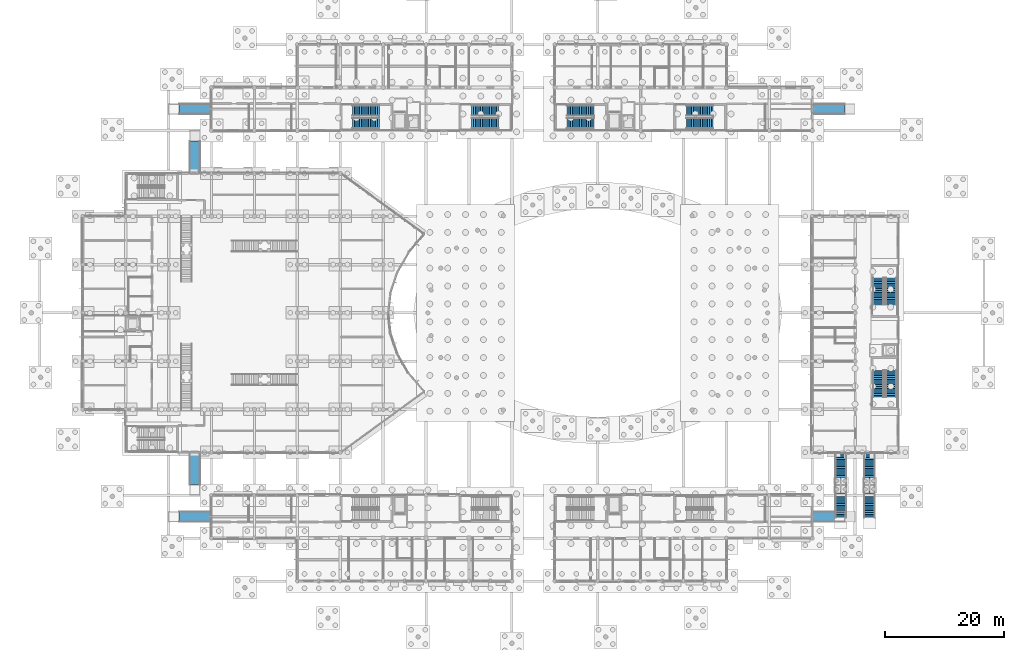
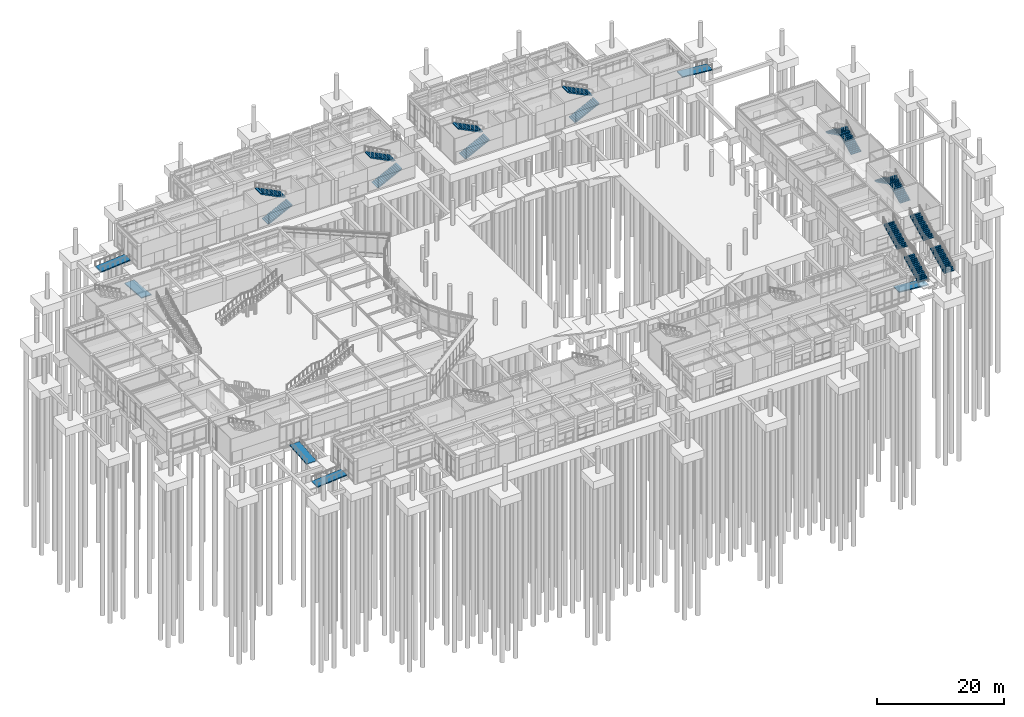
# One storey, part 64 of 103: 16 stair flights, 6 ramp flights, 14 elements without a shape of their own.
"""IFC4 building model written with IfcOpenShell, lengths in metres."""

from ifc_helpers import new_model, si_unit, direction, frame, origin, place, context, subcontext, project, spatial, polyline, outline, extrude, material, layer, layer_set, type_object, element, aggregate, save


model = new_model("IFC4")

# Units and contexts
model_context = context("Model", 3, precision=1e-05, world=origin(), true_north=direction((0.0, 1.0)))
body_context = subcontext(model_context, "Body", "Model", "MODEL_VIEW")
ifc_project = project(units=[si_unit("LENGTHUNIT", "METRE"), si_unit("AREAUNIT", "SQUARE_METRE"), si_unit("VOLUMEUNIT", "CUBIC_METRE"), si_unit("PLANEANGLEUNIT", "RADIAN"), si_unit("MASSUNIT", "GRAM", prefix="KILO")], contexts=[model_context])

# Site, building, storey
site_placement = place(None, origin())
site = spatial("IfcSite", under=ifc_project, at=site_placement, CompositionType="ELEMENT")
building_placement = place(site_placement, origin())
building = spatial("IfcBuilding", under=site, at=building_placement, Name="Namkhue Oval Health Centre", CompositionType="ELEMENT")
storey_placement = place(building_placement, origin())
storey = spatial("IfcBuildingStorey", under=building, at=storey_placement, Name="L00", CompositionType="ELEMENT", Elevation=0.0)

# Stair, stair flights
ifc_material = material(Name="Reinforced concrete C30/37 (TCVN B35)", Category="concrete")
stair_type_1 = type_object("IfcStairType", Name="DOGLEG EXIT STAIR H4800", PredefinedType="HALF_TURN_STAIR", material=ifc_material)
stair_1_placement = place(storey_placement, origin())
stair_1 = element("IfcStair", 1, at=stair_1_placement, inside=storey, type_object=stair_type_1, Name="Protected Exit Stair ST-03 L00", PredefinedType="HALF_TURN_STAIR")
stair_flight_type_1 = type_object("IfcStairFlightType", Name="STRAIGHT STAIR FLIGHT 1850", PredefinedType="STRAIGHT", material=ifc_material)
stair_flight_1_placement = place(storey_placement, frame((59.64990234375, 91.175048828125, 0.0), z_axis=(0.0, 0.0, 1.0), x_axis=(1.0, 0.0, 0.0)))
stair_flight_1 = element("IfcStairFlight", 2, at=stair_flight_1_placement, type_object=stair_flight_type_1, Name="ST-03 flight 1", NumberOfRisers=16, NumberOfTreads=15, PredefinedType="STRAIGHT", RiserHeight=0.15, TreadLength=0.3, context=body_context, shape_type="SweptSolid", body=[
    extrude(outline(polyline([(0.0, 0.0), (0.0, 0.14990234375), (0.300048828125, 0.14990234375), (0.300048828125, 0.300048828125), (0.60009765625, 0.300048828125), (0.60009765625, 0.449951171875), (0.89990234375, 0.449951171875), (0.89990234375, 0.60009765625), (1.199951171875, 0.60009765625), (1.199951171875, 0.75), (1.5, 0.75), (1.5, 0.89990234375), (1.800048828125, 0.89990234375), (1.800048828125, 1.050048828125), (2.10009765625, 1.050048828125), (2.10009765625, 1.199951171875), (2.39990234375, 1.199951171875), (2.39990234375, 1.35009765625), (2.699951171875, 1.35009765625), (2.699951171875, 1.5), (3.0, 1.5), (3.0, 1.64990234375), (3.300048828125, 1.64990234375), (3.300048828125, 1.800048828125), (3.60009765625, 1.800048828125), (3.60009765625, 1.949951171875), (3.89990234375, 1.949951171875), (3.89990234375, 2.10009765625), (4.199951171875, 2.10009765625), (4.199951171875, 2.25), (4.5, 2.25), (4.5, 2.39990234375), (4.5, 2.048828125), (0.40234375, 0.0), (0.0, 0.0)])), frame((0.0, 0.925048828125, 0.0), z_axis=(0.0, -1.0, 0.0), x_axis=(1.0, 0.0, 0.0)), (0.0, 0.0, 1.0), 1.85009765625),
])
stair_flight_2_placement = place(storey_placement, frame((64.14990234375, 93.324951171875, 2.39990234375), z_axis=(0.0, 0.0, 1.0), x_axis=(-1.0, 0.0, 0.0)))
stair_flight_2 = element("IfcStairFlight", 3, at=stair_flight_2_placement, type_object=stair_flight_type_1, Name="ST-03 flight 2", NumberOfRisers=16, NumberOfTreads=15, PredefinedType="STRAIGHT", RiserHeight=0.15, TreadLength=0.3, context=body_context, shape_type="SweptSolid", body=[
    extrude(outline(polyline([(0.0, 0.0), (0.0, 0.14990234375), (0.300048828125, 0.14990234375), (0.300048828125, 0.300048828125), (0.60009765625, 0.300048828125), (0.60009765625, 0.449951171875), (0.89990234375, 0.449951171875), (0.89990234375, 0.60009765625), (1.199951171875, 0.60009765625), (1.199951171875, 0.75), (1.5, 0.75), (1.5, 0.89990234375), (1.800048828125, 0.89990234375), (1.800048828125, 1.050048828125), (2.10009765625, 1.050048828125), (2.10009765625, 1.199951171875), (2.39990234375, 1.199951171875), (2.39990234375, 1.35009765625), (2.699951171875, 1.35009765625), (2.699951171875, 1.5), (3.0, 1.5), (3.0, 1.64990234375), (3.300048828125, 1.64990234375), (3.300048828125, 1.800048828125), (3.60009765625, 1.800048828125), (3.60009765625, 1.949951171875), (3.89990234375, 1.949951171875), (3.89990234375, 2.10009765625), (4.199951171875, 2.10009765625), (4.199951171875, 2.25), (4.5, 2.25), (4.5, 2.39990234375), (4.5, 2.048828125), (0.40234375, 0.0), (0.0, 0.0)])), frame((0.0, 0.925048828125, 0.0), z_axis=(0.0, -1.0, 0.0), x_axis=(1.0, 0.0, 0.0)), (0.0, 0.0, 1.0), 1.85009765625),
])
aggregate(stair_1, [stair_flight_1, stair_flight_2])

stair_2_placement = place(storey_placement, origin())
stair_2 = element("IfcStair", 4, at=stair_2_placement, inside=storey, type_object=stair_type_1, Name="Protected Exit Stair ST-04 L00", PredefinedType="HALF_TURN_STAIR")
stair_flight_3_placement = place(storey_placement, frame((79.64990234375, 91.175048828125, 0.0), z_axis=(0.0, 0.0, 1.0), x_axis=(1.0, 0.0, 0.0)))
stair_flight_3 = element("IfcStairFlight", 5, at=stair_flight_3_placement, type_object=stair_flight_type_1, Name="ST-04 flight 1", NumberOfRisers=16, NumberOfTreads=15, PredefinedType="STRAIGHT", RiserHeight=0.15, TreadLength=0.3, context=body_context, shape_type="SweptSolid", body=[
    extrude(outline(polyline([(0.0, 0.0), (0.0, 0.14990234375), (0.300048828125, 0.14990234375), (0.300048828125, 0.300048828125), (0.60009765625, 0.300048828125), (0.60009765625, 0.449951171875), (0.89990234375, 0.449951171875), (0.89990234375, 0.60009765625), (1.199951171875, 0.60009765625), (1.199951171875, 0.75), (1.5, 0.75), (1.5, 0.89990234375), (1.800048828125, 0.89990234375), (1.800048828125, 1.050048828125), (2.10009765625, 1.050048828125), (2.10009765625, 1.199951171875), (2.39990234375, 1.199951171875), (2.39990234375, 1.35009765625), (2.699951171875, 1.35009765625), (2.699951171875, 1.5), (3.0, 1.5), (3.0, 1.64990234375), (3.300048828125, 1.64990234375), (3.300048828125, 1.800048828125), (3.60009765625, 1.800048828125), (3.60009765625, 1.949951171875), (3.89990234375, 1.949951171875), (3.89990234375, 2.10009765625), (4.199951171875, 2.10009765625), (4.199951171875, 2.25), (4.5, 2.25), (4.5, 2.39990234375), (4.5, 2.048828125), (0.40234375, 0.0), (0.0, 0.0)])), frame((0.0, 0.925048828125, 0.0), z_axis=(0.0, -1.0, 0.0), x_axis=(1.0, 0.0, 0.0)), (0.0, 0.0, 1.0), 1.85009765625),
])
stair_flight_4_placement = place(storey_placement, frame((84.14990234375, 93.324951171875, 2.39990234375), z_axis=(0.0, 0.0, 1.0), x_axis=(-1.0, 0.0, 0.0)))
stair_flight_4 = element("IfcStairFlight", 6, at=stair_flight_4_placement, type_object=stair_flight_type_1, Name="ST-04 flight 2", NumberOfRisers=16, NumberOfTreads=15, PredefinedType="STRAIGHT", RiserHeight=0.15, TreadLength=0.3, context=body_context, shape_type="SweptSolid", body=[
    extrude(outline(polyline([(0.0, 0.0), (0.0, 0.14990234375), (0.300048828125, 0.14990234375), (0.300048828125, 0.300048828125), (0.60009765625, 0.300048828125), (0.60009765625, 0.449951171875), (0.89990234375, 0.449951171875), (0.89990234375, 0.60009765625), (1.199951171875, 0.60009765625), (1.199951171875, 0.75), (1.5, 0.75), (1.5, 0.89990234375), (1.800048828125, 0.89990234375), (1.800048828125, 1.050048828125), (2.10009765625, 1.050048828125), (2.10009765625, 1.199951171875), (2.39990234375, 1.199951171875), (2.39990234375, 1.35009765625), (2.699951171875, 1.35009765625), (2.699951171875, 1.5), (3.0, 1.5), (3.0, 1.64990234375), (3.300048828125, 1.64990234375), (3.300048828125, 1.800048828125), (3.60009765625, 1.800048828125), (3.60009765625, 1.949951171875), (3.89990234375, 1.949951171875), (3.89990234375, 2.10009765625), (4.199951171875, 2.10009765625), (4.199951171875, 2.25), (4.5, 2.25), (4.5, 2.39990234375), (4.5, 2.048828125), (0.40234375, 0.0), (0.0, 0.0)])), frame((0.0, 0.925048828125, 0.0), z_axis=(0.0, -1.0, 0.0), x_axis=(1.0, 0.0, 0.0)), (0.0, 0.0, 1.0), 1.85009765625),
])
aggregate(stair_2, [stair_flight_3, stair_flight_4])

stair_3_placement = place(storey_placement, origin())
stair_3 = element("IfcStair", 7, at=stair_3_placement, inside=storey, type_object=stair_type_1, Name="Protected Exit Stair ST-05 L00", PredefinedType="HALF_TURN_STAIR")
stair_flight_5_placement = place(storey_placement, frame((95.64990234375, 91.175048828125, 0.0), z_axis=(0.0, 0.0, 1.0), x_axis=(1.0, 0.0, 0.0)))
stair_flight_5 = element("IfcStairFlight", 8, at=stair_flight_5_placement, type_object=stair_flight_type_1, Name="ST-05 flight 1", NumberOfRisers=16, NumberOfTreads=15, PredefinedType="STRAIGHT", RiserHeight=0.15, TreadLength=0.3, context=body_context, shape_type="SweptSolid", body=[
    extrude(outline(polyline([(0.0, 0.0), (0.0, 0.14990234375), (0.300048828125, 0.14990234375), (0.300048828125, 0.300048828125), (0.60009765625, 0.300048828125), (0.60009765625, 0.449951171875), (0.89990234375, 0.449951171875), (0.89990234375, 0.60009765625), (1.199951171875, 0.60009765625), (1.199951171875, 0.75), (1.5, 0.75), (1.5, 0.89990234375), (1.800048828125, 0.89990234375), (1.800048828125, 1.050048828125), (2.10009765625, 1.050048828125), (2.10009765625, 1.199951171875), (2.39990234375, 1.199951171875), (2.39990234375, 1.35009765625), (2.699951171875, 1.35009765625), (2.699951171875, 1.5), (3.0, 1.5), (3.0, 1.64990234375), (3.300048828125, 1.64990234375), (3.300048828125, 1.800048828125), (3.60009765625, 1.800048828125), (3.60009765625, 1.949951171875), (3.89990234375, 1.949951171875), (3.89990234375, 2.10009765625), (4.199951171875, 2.10009765625), (4.199951171875, 2.25), (4.5, 2.25), (4.5, 2.39990234375), (4.5, 2.048828125), (0.40234375, 0.0), (0.0, 0.0)])), frame((0.0, 0.925048828125, 0.0), z_axis=(0.0, -1.0, 0.0), x_axis=(1.0, 0.0, 0.0)), (0.0, 0.0, 1.0), 1.85009765625),
])
stair_flight_6_placement = place(storey_placement, frame((100.14990234375, 93.324951171875, 2.39990234375), z_axis=(0.0, 0.0, 1.0), x_axis=(-1.0, 0.0, 0.0)))
stair_flight_6 = element("IfcStairFlight", 9, at=stair_flight_6_placement, type_object=stair_flight_type_1, Name="ST-05 flight 2", NumberOfRisers=16, NumberOfTreads=15, PredefinedType="STRAIGHT", RiserHeight=0.15, TreadLength=0.3, context=body_context, shape_type="SweptSolid", body=[
    extrude(outline(polyline([(0.0, 0.0), (0.0, 0.14990234375), (0.300048828125, 0.14990234375), (0.300048828125, 0.300048828125), (0.60009765625, 0.300048828125), (0.60009765625, 0.449951171875), (0.89990234375, 0.449951171875), (0.89990234375, 0.60009765625), (1.199951171875, 0.60009765625), (1.199951171875, 0.75), (1.5, 0.75), (1.5, 0.89990234375), (1.800048828125, 0.89990234375), (1.800048828125, 1.050048828125), (2.10009765625, 1.050048828125), (2.10009765625, 1.199951171875), (2.39990234375, 1.199951171875), (2.39990234375, 1.35009765625), (2.699951171875, 1.35009765625), (2.699951171875, 1.5), (3.0, 1.5), (3.0, 1.64990234375), (3.300048828125, 1.64990234375), (3.300048828125, 1.800048828125), (3.60009765625, 1.800048828125), (3.60009765625, 1.949951171875), (3.89990234375, 1.949951171875), (3.89990234375, 2.10009765625), (4.199951171875, 2.10009765625), (4.199951171875, 2.25), (4.5, 2.25), (4.5, 2.39990234375), (4.5, 2.048828125), (0.40234375, 0.0), (0.0, 0.0)])), frame((0.0, 0.925048828125, 0.0), z_axis=(0.0, -1.0, 0.0), x_axis=(1.0, 0.0, 0.0)), (0.0, 0.0, 1.0), 1.85009765625),
])
aggregate(stair_3, [stair_flight_5, stair_flight_6])

stair_4_placement = place(storey_placement, origin())
stair_4 = element("IfcStair", 10, at=stair_4_placement, inside=storey, type_object=stair_type_1, Name="Protected Exit Stair ST-06 L00", PredefinedType="HALF_TURN_STAIR")
stair_flight_7_placement = place(storey_placement, frame((115.64990234375, 91.175048828125, 0.0), z_axis=(0.0, 0.0, 1.0), x_axis=(1.0, 0.0, 0.0)))
stair_flight_7 = element("IfcStairFlight", 11, at=stair_flight_7_placement, type_object=stair_flight_type_1, Name="ST-06 flight 1", NumberOfRisers=16, NumberOfTreads=15, PredefinedType="STRAIGHT", RiserHeight=0.15, TreadLength=0.3, context=body_context, shape_type="SweptSolid", body=[
    extrude(outline(polyline([(0.0, 0.0), (0.0, 0.14990234375), (0.300048828125, 0.14990234375), (0.300048828125, 0.300048828125), (0.60009765625, 0.300048828125), (0.60009765625, 0.449951171875), (0.89990234375, 0.449951171875), (0.89990234375, 0.60009765625), (1.199951171875, 0.60009765625), (1.199951171875, 0.75), (1.5, 0.75), (1.5, 0.89990234375), (1.800048828125, 0.89990234375), (1.800048828125, 1.050048828125), (2.10009765625, 1.050048828125), (2.10009765625, 1.199951171875), (2.39990234375, 1.199951171875), (2.39990234375, 1.35009765625), (2.699951171875, 1.35009765625), (2.699951171875, 1.5), (3.0, 1.5), (3.0, 1.64990234375), (3.300048828125, 1.64990234375), (3.300048828125, 1.800048828125), (3.60009765625, 1.800048828125), (3.60009765625, 1.949951171875), (3.89990234375, 1.949951171875), (3.89990234375, 2.10009765625), (4.199951171875, 2.10009765625), (4.199951171875, 2.25), (4.5, 2.25), (4.5, 2.39990234375), (4.5, 2.048828125), (0.40234375, 0.0), (0.0, 0.0)])), frame((0.0, 0.925048828125, 0.0), z_axis=(0.0, -1.0, 0.0), x_axis=(1.0, 0.0, 0.0)), (0.0, 0.0, 1.0), 1.85009765625),
])
stair_flight_8_placement = place(storey_placement, frame((120.14990234375, 93.324951171875, 2.39990234375), z_axis=(0.0, 0.0, 1.0), x_axis=(-1.0, 0.0, 0.0)))
stair_flight_8 = element("IfcStairFlight", 12, at=stair_flight_8_placement, type_object=stair_flight_type_1, Name="ST-06 flight 2", NumberOfRisers=16, NumberOfTreads=15, PredefinedType="STRAIGHT", RiserHeight=0.15, TreadLength=0.3, context=body_context, shape_type="SweptSolid", body=[
    extrude(outline(polyline([(0.0, 0.0), (0.0, 0.14990234375), (0.300048828125, 0.14990234375), (0.300048828125, 0.300048828125), (0.60009765625, 0.300048828125), (0.60009765625, 0.449951171875), (0.89990234375, 0.449951171875), (0.89990234375, 0.60009765625), (1.199951171875, 0.60009765625), (1.199951171875, 0.75), (1.5, 0.75), (1.5, 0.89990234375), (1.800048828125, 0.89990234375), (1.800048828125, 1.050048828125), (2.10009765625, 1.050048828125), (2.10009765625, 1.199951171875), (2.39990234375, 1.199951171875), (2.39990234375, 1.35009765625), (2.699951171875, 1.35009765625), (2.699951171875, 1.5), (3.0, 1.5), (3.0, 1.64990234375), (3.300048828125, 1.64990234375), (3.300048828125, 1.800048828125), (3.60009765625, 1.800048828125), (3.60009765625, 1.949951171875), (3.89990234375, 1.949951171875), (3.89990234375, 2.10009765625), (4.199951171875, 2.10009765625), (4.199951171875, 2.25), (4.5, 2.25), (4.5, 2.39990234375), (4.5, 2.048828125), (0.40234375, 0.0), (0.0, 0.0)])), frame((0.0, 0.925048828125, 0.0), z_axis=(0.0, -1.0, 0.0), x_axis=(1.0, 0.0, 0.0)), (0.0, 0.0, 1.0), 1.85009765625),
])
aggregate(stair_4, [stair_flight_7, stair_flight_8])

stair_5_placement = place(storey_placement, origin())
stair_5 = element("IfcStair", 13, at=stair_5_placement, inside=storey, type_object=stair_type_1, Name="Protected Exit Stair ST-11 L00", PredefinedType="HALF_TURN_STAIR")
stair_flight_9_placement = place(storey_placement, frame((150.02490234375, 45.25, 0.0), z_axis=(0.0, 0.0, 1.0), x_axis=(0.0, 1.0, 0.0)))
stair_flight_9 = element("IfcStairFlight", 14, at=stair_flight_9_placement, type_object=stair_flight_type_1, Name="ST-11 flight 1", NumberOfRisers=16, NumberOfTreads=15, PredefinedType="STRAIGHT", RiserHeight=0.15, TreadLength=0.3, context=body_context, shape_type="SweptSolid", body=[
    extrude(outline(polyline([(0.0, 0.0), (0.0, 0.14990234375), (0.300048828125, 0.14990234375), (0.300048828125, 0.300048828125), (0.60009765625, 0.300048828125), (0.60009765625, 0.449951171875), (0.89990234375, 0.449951171875), (0.89990234375, 0.60009765625), (1.199951171875, 0.60009765625), (1.199951171875, 0.75), (1.5, 0.75), (1.5, 0.89990234375), (1.800048828125, 0.89990234375), (1.800048828125, 1.050048828125), (2.10009765625, 1.050048828125), (2.10009765625, 1.199951171875), (2.39990234375, 1.199951171875), (2.39990234375, 1.35009765625), (2.699951171875, 1.35009765625), (2.699951171875, 1.5), (3.0, 1.5), (3.0, 1.64990234375), (3.300048828125, 1.64990234375), (3.300048828125, 1.800048828125), (3.60009765625, 1.800048828125), (3.60009765625, 1.949951171875), (3.89990234375, 1.949951171875), (3.89990234375, 2.10009765625), (4.199951171875, 2.10009765625), (4.199951171875, 2.25), (4.5, 2.25), (4.5, 2.39990234375), (4.5, 2.048828125), (0.40234375, 0.0), (0.0, 0.0)])), frame((0.0, 0.925048828125, 0.0), z_axis=(0.0, -1.0, 0.0), x_axis=(1.0, 0.0, 0.0)), (0.0, 0.0, 1.0), 1.85009765625),
])
stair_flight_10_placement = place(storey_placement, frame((147.875, 49.75, 2.39990234375), z_axis=(0.0, 0.0, 1.0), x_axis=(0.0, -1.0, 0.0)))
stair_flight_10 = element("IfcStairFlight", 15, at=stair_flight_10_placement, type_object=stair_flight_type_1, Name="ST-11 flight 2", NumberOfRisers=16, NumberOfTreads=15, PredefinedType="STRAIGHT", RiserHeight=0.15, TreadLength=0.3, context=body_context, shape_type="SweptSolid", body=[
    extrude(outline(polyline([(0.0, 0.0), (0.0, 0.14990234375), (0.300048828125, 0.14990234375), (0.300048828125, 0.300048828125), (0.60009765625, 0.300048828125), (0.60009765625, 0.449951171875), (0.89990234375, 0.449951171875), (0.89990234375, 0.60009765625), (1.199951171875, 0.60009765625), (1.199951171875, 0.75), (1.5, 0.75), (1.5, 0.89990234375), (1.800048828125, 0.89990234375), (1.800048828125, 1.050048828125), (2.10009765625, 1.050048828125), (2.10009765625, 1.199951171875), (2.39990234375, 1.199951171875), (2.39990234375, 1.35009765625), (2.699951171875, 1.35009765625), (2.699951171875, 1.5), (3.0, 1.5), (3.0, 1.64990234375), (3.300048828125, 1.64990234375), (3.300048828125, 1.800048828125), (3.60009765625, 1.800048828125), (3.60009765625, 1.949951171875), (3.89990234375, 1.949951171875), (3.89990234375, 2.10009765625), (4.199951171875, 2.10009765625), (4.199951171875, 2.25), (4.5, 2.25), (4.5, 2.39990234375), (4.5, 2.048828125), (0.40234375, 0.0), (0.0, 0.0)])), frame((0.0, 0.925048828125, 0.0), z_axis=(0.0, -1.0, 0.0), x_axis=(1.0, 0.0, 0.0)), (0.0, 0.0, 1.0), 1.85009765625),
])
aggregate(stair_5, [stair_flight_9, stair_flight_10])

stair_6_placement = place(storey_placement, origin())
stair_6 = element("IfcStair", 16, at=stair_6_placement, inside=storey, type_object=stair_type_1, Name="Protected Exit Stair ST-12 L00", PredefinedType="HALF_TURN_STAIR")
stair_flight_11_placement = place(storey_placement, frame((150.02490234375, 60.75, 0.0), z_axis=(0.0, 0.0, 1.0), x_axis=(0.0, 1.0, 0.0)))
stair_flight_11 = element("IfcStairFlight", 17, at=stair_flight_11_placement, type_object=stair_flight_type_1, Name="ST-12 flight 1", NumberOfRisers=16, NumberOfTreads=15, PredefinedType="STRAIGHT", RiserHeight=0.15, TreadLength=0.3, context=body_context, shape_type="SweptSolid", body=[
    extrude(outline(polyline([(0.0, 0.0), (0.0, 0.14990234375), (0.300048828125, 0.14990234375), (0.300048828125, 0.300048828125), (0.60009765625, 0.300048828125), (0.60009765625, 0.449951171875), (0.89990234375, 0.449951171875), (0.89990234375, 0.60009765625), (1.199951171875, 0.60009765625), (1.199951171875, 0.75), (1.5, 0.75), (1.5, 0.89990234375), (1.800048828125, 0.89990234375), (1.800048828125, 1.050048828125), (2.10009765625, 1.050048828125), (2.10009765625, 1.199951171875), (2.39990234375, 1.199951171875), (2.39990234375, 1.35009765625), (2.699951171875, 1.35009765625), (2.699951171875, 1.5), (3.0, 1.5), (3.0, 1.64990234375), (3.300048828125, 1.64990234375), (3.300048828125, 1.800048828125), (3.60009765625, 1.800048828125), (3.60009765625, 1.949951171875), (3.89990234375, 1.949951171875), (3.89990234375, 2.10009765625), (4.199951171875, 2.10009765625), (4.199951171875, 2.25), (4.5, 2.25), (4.5, 2.39990234375), (4.5, 2.048828125), (0.40234375, 0.0), (0.0, 0.0)])), frame((0.0, 0.925048828125, 0.0), z_axis=(0.0, -1.0, 0.0), x_axis=(1.0, 0.0, 0.0)), (0.0, 0.0, 1.0), 1.85009765625),
])
stair_flight_12_placement = place(storey_placement, frame((147.875, 65.25, 2.39990234375), z_axis=(0.0, 0.0, 1.0), x_axis=(0.0, -1.0, 0.0)))
stair_flight_12 = element("IfcStairFlight", 18, at=stair_flight_12_placement, type_object=stair_flight_type_1, Name="ST-12 flight 2", NumberOfRisers=16, NumberOfTreads=15, PredefinedType="STRAIGHT", RiserHeight=0.15, TreadLength=0.3, context=body_context, shape_type="SweptSolid", body=[
    extrude(outline(polyline([(0.0, 0.0), (0.0, 0.14990234375), (0.300048828125, 0.14990234375), (0.300048828125, 0.300048828125), (0.60009765625, 0.300048828125), (0.60009765625, 0.449951171875), (0.89990234375, 0.449951171875), (0.89990234375, 0.60009765625), (1.199951171875, 0.60009765625), (1.199951171875, 0.75), (1.5, 0.75), (1.5, 0.89990234375), (1.800048828125, 0.89990234375), (1.800048828125, 1.050048828125), (2.10009765625, 1.050048828125), (2.10009765625, 1.199951171875), (2.39990234375, 1.199951171875), (2.39990234375, 1.35009765625), (2.699951171875, 1.35009765625), (2.699951171875, 1.5), (3.0, 1.5), (3.0, 1.64990234375), (3.300048828125, 1.64990234375), (3.300048828125, 1.800048828125), (3.60009765625, 1.800048828125), (3.60009765625, 1.949951171875), (3.89990234375, 1.949951171875), (3.89990234375, 2.10009765625), (4.199951171875, 2.10009765625), (4.199951171875, 2.25), (4.5, 2.25), (4.5, 2.39990234375), (4.5, 2.048828125), (0.40234375, 0.0), (0.0, 0.0)])), frame((0.0, 0.925048828125, 0.0), z_axis=(0.0, -1.0, 0.0), x_axis=(1.0, 0.0, 0.0)), (0.0, 0.0, 1.0), 1.85009765625),
])
aggregate(stair_6, [stair_flight_11, stair_flight_12])

stair_type_2 = type_object("IfcStairType", Name="STRAIGHT FEATURE STAIR H4800", PredefinedType="STRAIGHT_RUN_STAIR", material=ifc_material)
stair_7_placement = place(storey_placement, origin())
stair_7 = element("IfcStair", 19, at=stair_7_placement, inside=storey, type_object=stair_type_2, Name="Rehab Terrace West Garden Straight Stair", PredefinedType="STRAIGHT_RUN_STAIR")
stair_flight_type_2 = type_object("IfcStairFlightType", Name="STRAIGHT STAIR FLIGHT 1900", PredefinedType="STRAIGHT", material=ifc_material)
stair_flight_13_placement = place(storey_placement, frame((141.60009765625, 25.0048828125, 0.0), z_axis=(0.0, 0.0, 1.0), x_axis=(0.0, 1.0, 0.0)))
stair_flight_13 = element("IfcStairFlight", 20, at=stair_flight_13_placement, type_object=stair_flight_type_2, Name="ST-F05 flight 1", NumberOfRisers=16, NumberOfTreads=15, PredefinedType="STRAIGHT", RiserHeight=0.15, TreadLength=0.3, context=body_context, shape_type="SweptSolid", body=[
    extrude(outline(polyline([(0.0, 0.0), (0.0, 0.14990234375), (0.300048828125, 0.14990234375), (0.300048828125, 0.300048828125), (0.60009765625, 0.300048828125), (0.60009765625, 0.449951171875), (0.89990234375, 0.449951171875), (0.89990234375, 0.60009765625), (1.199951171875, 0.60009765625), (1.199951171875, 0.75), (1.5, 0.75), (1.5, 0.89990234375), (1.800048828125, 0.89990234375), (1.800048828125, 1.050048828125), (2.10009765625, 1.050048828125), (2.10009765625, 1.199951171875), (2.39990234375, 1.199951171875), (2.39990234375, 1.35009765625), (2.699951171875, 1.35009765625), (2.699951171875, 1.5), (3.0, 1.5), (3.0, 1.64990234375), (3.300048828125, 1.64990234375), (3.300048828125, 1.800048828125), (3.60009765625, 1.800048828125), (3.60009765625, 1.949951171875), (3.89990234375, 1.949951171875), (3.89990234375, 2.10009765625), (4.199951171875, 2.10009765625), (4.199951171875, 2.25), (4.5, 2.25), (4.5, 2.39990234375), (4.5, 2.048828125), (0.40234375, 0.0), (0.0, 0.0)])), frame((0.0, 0.949951171875, 0.0), z_axis=(0.0, -1.0, 0.0), x_axis=(1.0, 0.0, 0.0)), (0.0, 0.0, 1.0), 1.89990234375),
])
stair_flight_14_placement = place(storey_placement, frame((141.60009765625, 31.5048828125, 2.39990234375), z_axis=(0.0, 0.0, 1.0), x_axis=(0.0, 1.0, 0.0)))
stair_flight_14 = element("IfcStairFlight", 21, at=stair_flight_14_placement, type_object=stair_flight_type_2, Name="ST-F05 flight 2", NumberOfRisers=16, NumberOfTreads=15, PredefinedType="STRAIGHT", RiserHeight=0.15, TreadLength=0.3, context=body_context, shape_type="SweptSolid", body=[
    extrude(outline(polyline([(0.0, 0.0), (0.0, 0.14990234375), (0.300048828125, 0.14990234375), (0.300048828125, 0.300048828125), (0.60009765625, 0.300048828125), (0.60009765625, 0.449951171875), (0.89990234375, 0.449951171875), (0.89990234375, 0.60009765625), (1.199951171875, 0.60009765625), (1.199951171875, 0.75), (1.5, 0.75), (1.5, 0.89990234375), (1.800048828125, 0.89990234375), (1.800048828125, 1.050048828125), (2.10009765625, 1.050048828125), (2.10009765625, 1.199951171875), (2.39990234375, 1.199951171875), (2.39990234375, 1.35009765625), (2.699951171875, 1.35009765625), (2.699951171875, 1.5), (3.0, 1.5), (3.0, 1.64990234375), (3.300048828125, 1.64990234375), (3.300048828125, 1.800048828125), (3.60009765625, 1.800048828125), (3.60009765625, 1.949951171875), (3.89990234375, 1.949951171875), (3.89990234375, 2.10009765625), (4.199951171875, 2.10009765625), (4.199951171875, 2.25), (4.5, 2.25), (4.5, 2.39990234375), (4.5, 2.048828125), (0.40234375, 0.0), (0.0, 0.0)])), frame((0.0, 0.949951171875, 0.0), z_axis=(0.0, -1.0, 0.0), x_axis=(1.0, 0.0, 0.0)), (0.0, 0.0, 1.0), 1.89990234375),
])
aggregate(stair_7, [stair_flight_13, stair_flight_14])

stair_8_placement = place(storey_placement, origin())
stair_8 = element("IfcStair", 22, at=stair_8_placement, inside=storey, type_object=stair_type_2, Name="Rehab Terrace East Garden Straight Stair", PredefinedType="STRAIGHT_RUN_STAIR")
stair_flight_15_placement = place(storey_placement, frame((146.39990234375, 25.0048828125, 0.0), z_axis=(0.0, 0.0, 1.0), x_axis=(0.0, 1.0, 0.0)))
stair_flight_15 = element("IfcStairFlight", 23, at=stair_flight_15_placement, type_object=stair_flight_type_2, Name="ST-F06 flight 1", NumberOfRisers=16, NumberOfTreads=15, PredefinedType="STRAIGHT", RiserHeight=0.15, TreadLength=0.3, context=body_context, shape_type="SweptSolid", body=[
    extrude(outline(polyline([(0.0, 0.0), (0.0, 0.14990234375), (0.300048828125, 0.14990234375), (0.300048828125, 0.300048828125), (0.60009765625, 0.300048828125), (0.60009765625, 0.449951171875), (0.89990234375, 0.449951171875), (0.89990234375, 0.60009765625), (1.199951171875, 0.60009765625), (1.199951171875, 0.75), (1.5, 0.75), (1.5, 0.89990234375), (1.800048828125, 0.89990234375), (1.800048828125, 1.050048828125), (2.10009765625, 1.050048828125), (2.10009765625, 1.199951171875), (2.39990234375, 1.199951171875), (2.39990234375, 1.35009765625), (2.699951171875, 1.35009765625), (2.699951171875, 1.5), (3.0, 1.5), (3.0, 1.64990234375), (3.300048828125, 1.64990234375), (3.300048828125, 1.800048828125), (3.60009765625, 1.800048828125), (3.60009765625, 1.949951171875), (3.89990234375, 1.949951171875), (3.89990234375, 2.10009765625), (4.199951171875, 2.10009765625), (4.199951171875, 2.25), (4.5, 2.25), (4.5, 2.39990234375), (4.5, 2.048828125), (0.40234375, 0.0), (0.0, 0.0)])), frame((0.0, 0.949951171875, 0.0), z_axis=(0.0, -1.0, 0.0), x_axis=(1.0, 0.0, 0.0)), (0.0, 0.0, 1.0), 1.89990234375),
])
stair_flight_16_placement = place(storey_placement, frame((146.39990234375, 31.5048828125, 2.39990234375), z_axis=(0.0, 0.0, 1.0), x_axis=(0.0, 1.0, 0.0)))
stair_flight_16 = element("IfcStairFlight", 24, at=stair_flight_16_placement, type_object=stair_flight_type_2, Name="ST-F06 flight 2", NumberOfRisers=16, NumberOfTreads=15, PredefinedType="STRAIGHT", RiserHeight=0.15, TreadLength=0.3, context=body_context, shape_type="SweptSolid", body=[
    extrude(outline(polyline([(0.0, 0.0), (0.0, 0.14990234375), (0.300048828125, 0.14990234375), (0.300048828125, 0.300048828125), (0.60009765625, 0.300048828125), (0.60009765625, 0.449951171875), (0.89990234375, 0.449951171875), (0.89990234375, 0.60009765625), (1.199951171875, 0.60009765625), (1.199951171875, 0.75), (1.5, 0.75), (1.5, 0.89990234375), (1.800048828125, 0.89990234375), (1.800048828125, 1.050048828125), (2.10009765625, 1.050048828125), (2.10009765625, 1.199951171875), (2.39990234375, 1.199951171875), (2.39990234375, 1.35009765625), (2.699951171875, 1.35009765625), (2.699951171875, 1.5), (3.0, 1.5), (3.0, 1.64990234375), (3.300048828125, 1.64990234375), (3.300048828125, 1.800048828125), (3.60009765625, 1.800048828125), (3.60009765625, 1.949951171875), (3.89990234375, 1.949951171875), (3.89990234375, 2.10009765625), (4.199951171875, 2.10009765625), (4.199951171875, 2.25), (4.5, 2.25), (4.5, 2.39990234375), (4.5, 2.048828125), (0.40234375, 0.0), (0.0, 0.0)])), frame((0.0, 0.949951171875, 0.0), z_axis=(0.0, -1.0, 0.0), x_axis=(1.0, 0.0, 0.0)), (0.0, 0.0, 1.0), 1.89990234375),
])
aggregate(stair_8, [stair_flight_15, stair_flight_16])

# Ramp, ramp flight
ramp_type = type_object("IfcRampType", Name="ACCESSIBLE ENTRANCE RAMP", PredefinedType="STRAIGHT_RUN_RAMP", material=ifc_material)
ramp_1_placement = place(storey_placement, origin())
ramp_1 = element("IfcRamp", 25, at=ramp_1_placement, inside=storey, type_object=ramp_type, Name="Waiting Hall South Pharmacy Ramp", PredefinedType="STRAIGHT_RUN_RAMP")
ifc_layer = layer(ifc_material, 0.199951171875)
ifc_layer_set = layer_set([ifc_layer], Name="Reinforced concrete C30/37 (TCVN B35)")
ramp_flight_type = type_object("IfcRampFlightType", Name="ACCESSIBLE RAMP FLIGHT 1800", PredefinedType="STRAIGHT", material=ifc_layer_set)
ramp_flight_1_placement = place(storey_placement, frame((33.199951171875, 30.60009765625, -0.449951171875), z_axis=(0.0, 0.0, 1.0), x_axis=(0.0, 1.0, 0.0)))
ramp_flight_1 = element("IfcRampFlight", 26, at=ramp_flight_1_placement, type_object=ramp_flight_type, Name="Waiting Hall South Pharmacy Ramp Flight", PredefinedType="STRAIGHT", context=body_context, shape_type="SweptSolid", body=[
    extrude(outline(polyline([(0.0, 0.0), (5.39990234375, 0.449951171875), (5.39990234375, 0.25), (0.0, -0.199951171875), (0.0, 0.0)])), frame((0.0, 0.89990234375, 0.0), z_axis=(0.0, -1.0, 0.0), x_axis=(1.0, 0.0, 0.0)), (0.0, 0.0, 1.0), 1.800048828125),
])
aggregate(ramp_1, [ramp_flight_1])

ramp_2_placement = place(storey_placement, origin())
ramp_2 = element("IfcRamp", 27, at=ramp_2_placement, inside=storey, type_object=ramp_type, Name="Health Cafe North Forecourt Ramp", PredefinedType="STRAIGHT_RUN_RAMP")
ramp_flight_2_placement = place(storey_placement, frame((33.199951171875, 88.199951171875, -0.449951171875), z_axis=(0.0, 0.0, 1.0), x_axis=(0.0, -1.0, 0.0)))
ramp_flight_2 = element("IfcRampFlight", 28, at=ramp_flight_2_placement, type_object=ramp_flight_type, Name="Health Cafe North Forecourt Ramp Flight", PredefinedType="STRAIGHT", context=body_context, shape_type="SweptSolid", body=[
    extrude(outline(polyline([(0.0, 0.0), (5.39990234375, 0.449951171875), (5.39990234375, 0.25), (0.0, -0.199951171875), (0.0, 0.0)])), frame((0.0, 0.89990234375, 0.0), z_axis=(0.0, -1.0, 0.0), x_axis=(1.0, 0.0, 0.0)), (0.0, 0.0, 1.0), 1.800048828125),
])
aggregate(ramp_2, [ramp_flight_2])

ramp_3_placement = place(storey_placement, origin())
ramp_3 = element("IfcRamp", 29, at=ramp_3_placement, inside=storey, type_object=ramp_type, Name="North GP Clinic West Arrival Ramp", PredefinedType="STRAIGHT_RUN_RAMP")
ramp_flight_3_placement = place(storey_placement, frame((30.60009765625, 93.60009765625, -0.449951171875), z_axis=(0.0, 0.0, 1.0), x_axis=(1.0, 0.0, 0.0)))
ramp_flight_3 = element("IfcRampFlight", 30, at=ramp_flight_3_placement, type_object=ramp_flight_type, Name="North GP Clinic West Arrival Ramp Flight", PredefinedType="STRAIGHT", context=body_context, shape_type="SweptSolid", body=[
    extrude(outline(polyline([(0.0, 0.0), (5.39990234375, 0.449951171875), (5.39990234375, 0.25), (0.0, -0.199951171875), (0.0, 0.0)])), frame((0.0, 0.89990234375, 0.0), z_axis=(0.0, -1.0, 0.0), x_axis=(1.0, 0.0, 0.0)), (0.0, 0.0, 1.0), 1.800048828125),
])
aggregate(ramp_3, [ramp_flight_3])

ramp_4_placement = place(storey_placement, origin())
ramp_4 = element("IfcRamp", 31, at=ramp_4_placement, inside=storey, type_object=ramp_type, Name="East Specialist Clinic Arrival Ramp", PredefinedType="STRAIGHT_RUN_RAMP")
ramp_flight_4_placement = place(storey_placement, frame((142.199951171875, 93.60009765625, -0.449951171875), z_axis=(0.0, 0.0, 1.0), x_axis=(-1.0, 0.0, 0.0)))
ramp_flight_4 = element("IfcRampFlight", 32, at=ramp_flight_4_placement, type_object=ramp_flight_type, Name="East Specialist Clinic Arrival Ramp Flight", PredefinedType="STRAIGHT", context=body_context, shape_type="SweptSolid", body=[
    extrude(outline(polyline([(0.0, 0.0), (5.39990234375, 0.449951171875), (5.39990234375, 0.25), (0.0, -0.199951171875), (0.0, 0.0)])), frame((0.0, 0.89990234375, 0.0), z_axis=(0.0, -1.0, 0.0), x_axis=(1.0, 0.0, 0.0)), (0.0, 0.0, 1.0), 1.800048828125),
])
aggregate(ramp_4, [ramp_flight_4])

ramp_5_placement = place(storey_placement, origin())
ramp_5 = element("IfcRamp", 33, at=ramp_5_placement, inside=storey, type_object=ramp_type, Name="Emergency Triage West Arrival Ramp", PredefinedType="STRAIGHT_RUN_RAMP")
ramp_flight_5_placement = place(storey_placement, frame((30.60009765625, 25.199951171875, -0.449951171875), z_axis=(0.0, 0.0, 1.0), x_axis=(1.0, 0.0, 0.0)))
ramp_flight_5 = element("IfcRampFlight", 34, at=ramp_flight_5_placement, type_object=ramp_flight_type, Name="Emergency Triage West Arrival Ramp Flight", PredefinedType="STRAIGHT", context=body_context, shape_type="SweptSolid", body=[
    extrude(outline(polyline([(0.0, 0.0), (5.39990234375, 0.449951171875), (5.39990234375, 0.25), (0.0, -0.199951171875), (0.0, 0.0)])), frame((0.0, 0.89990234375, 0.0), z_axis=(0.0, -1.0, 0.0), x_axis=(1.0, 0.0, 0.0)), (0.0, 0.0, 1.0), 1.800048828125),
])
aggregate(ramp_5, [ramp_flight_5])

ramp_6_placement = place(storey_placement, origin())
ramp_6 = element("IfcRamp", 35, at=ramp_6_placement, inside=storey, type_object=ramp_type, Name="Dental and Mental Health East Ramp", PredefinedType="STRAIGHT_RUN_RAMP")
ramp_flight_6_placement = place(storey_placement, frame((142.199951171875, 25.199951171875, -0.449951171875), z_axis=(0.0, 0.0, 1.0), x_axis=(-1.0, 0.0, 0.0)))
ramp_flight_6 = element("IfcRampFlight", 36, at=ramp_flight_6_placement, type_object=ramp_flight_type, Name="Dental and Mental Health East Ramp Flight", PredefinedType="STRAIGHT", context=body_context, shape_type="SweptSolid", body=[
    extrude(outline(polyline([(0.0, 0.0), (5.39990234375, 0.449951171875), (5.39990234375, 0.25), (0.0, -0.199951171875), (0.0, 0.0)])), frame((0.0, 0.89990234375, 0.0), z_axis=(0.0, -1.0, 0.0), x_axis=(1.0, 0.0, 0.0)), (0.0, 0.0, 1.0), 1.800048828125),
])
aggregate(ramp_6, [ramp_flight_6])

save(model, "model.ifc")
